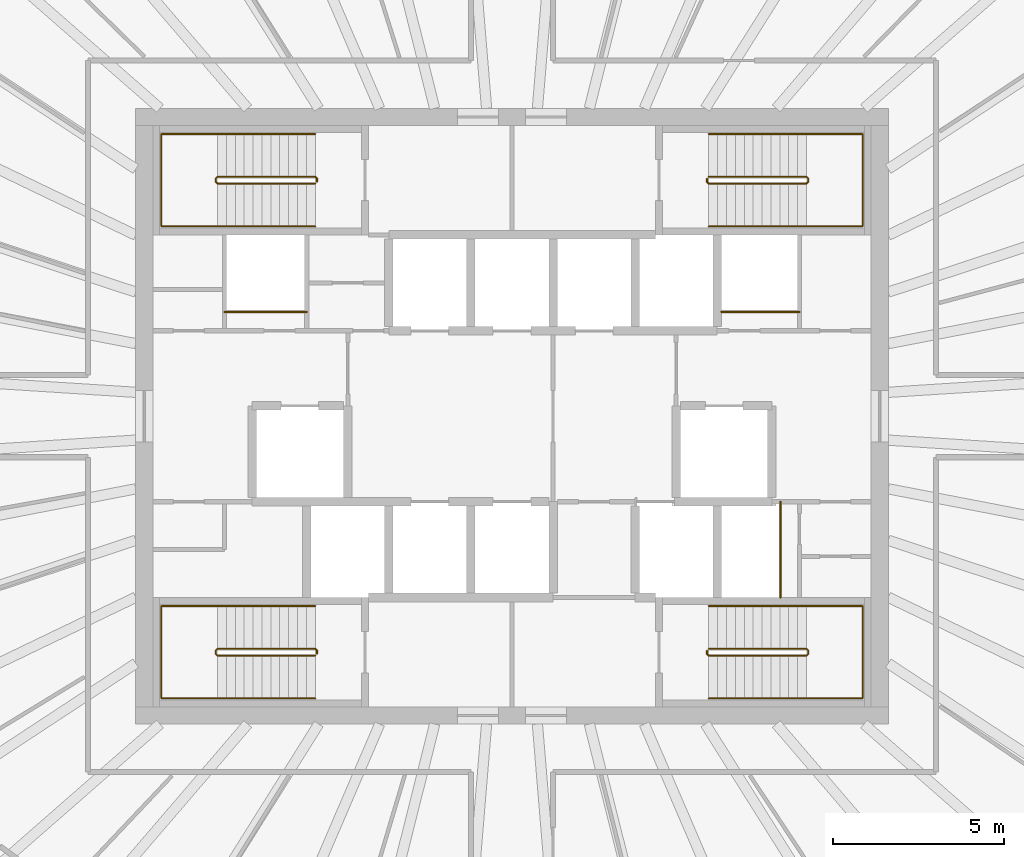
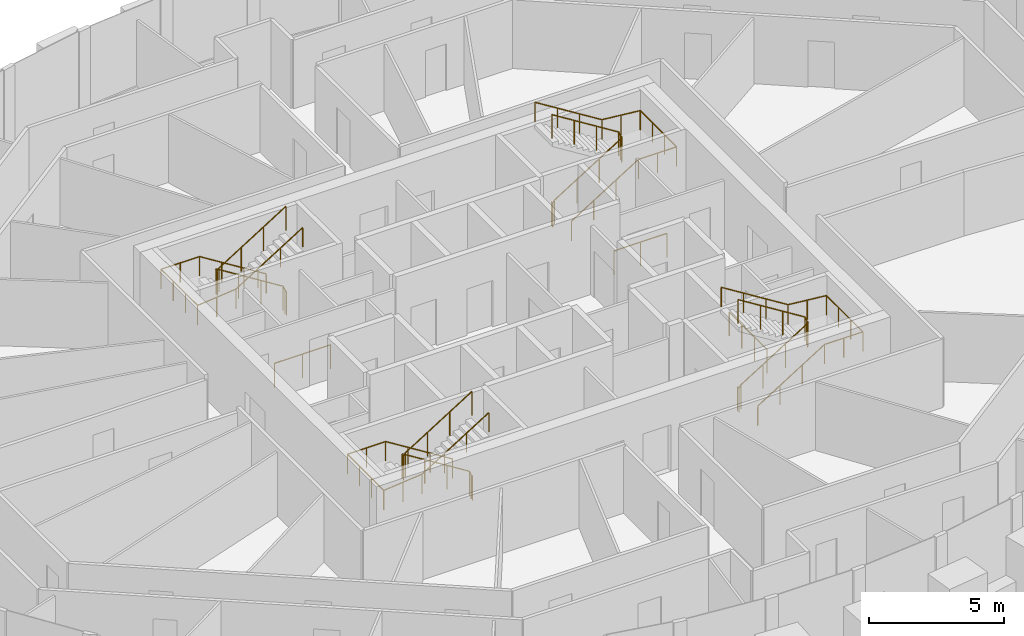
# One storey, part 11 of 11: 11 railings.
"""IFC4 building model written with IfcOpenShell, lengths in metres."""

from ifc_helpers import new_model, si_unit, direction, frame, origin, origin_2d, place, context, subcontext, project, spatial, circle, extrude, source, transform, mapped, material, type_object, element, save


model = new_model("IFC4")

# Units and contexts
model_context = context("Model", 3, precision=1e-05, world=origin(), true_north=direction((0.0, 1.0)))
body_context = subcontext(model_context, "Body", "Model", "MODEL_VIEW")
ifc_project = project(units=[si_unit("LENGTHUNIT", "METRE"), si_unit("AREAUNIT", "SQUARE_METRE"), si_unit("VOLUMEUNIT", "CUBIC_METRE"), si_unit("PLANEANGLEUNIT", "RADIAN"), si_unit("MASSUNIT", "GRAM", prefix="KILO")], contexts=[model_context])

# Site, building, storey
site_placement = place(None, origin())
site = spatial("IfcSite", under=ifc_project, at=site_placement, CompositionType="ELEMENT")
building_placement = place(site_placement, origin())
building = spatial("IfcBuilding", under=site, at=building_placement, Name="Embergate Tower", CompositionType="ELEMENT")
storey_placement = place(building_placement, frame((0.0, 0.0, 305.199951171875)))
storey = spatial("IfcBuildingStorey", under=building, at=storey_placement, Name="L71", CompositionType="ELEMENT", Elevation=305.199951171875)

# Railings
ifc_material_1 = material(Name="Stair guard 1100")
railing_type_1 = type_object("IfcRailingType", Name="Stair guard 1100", PredefinedType="GUARDRAIL", material=ifc_material_1)
shared_shape_1 = source(origin(), body_context, "Body", "SweptSolid", [
    extrude(circle(Radius=0.02392578125, at=origin_2d()), frame((0.0, 0.0, 1.076171875), z_axis=(0.0, 1.0, 0.0), x_axis=(-1.0, 0.0, 0.0)), (0.0, 0.0, 1.0), 0.099853515625),
    extrude(circle(Radius=0.02392578125, at=origin_2d()), frame((0.0, 0.099853515625, 1.076171875), z_axis=(-0.282227285176, 0.282227285176, 0.916894497205), x_axis=(-0.707106781187, -0.707106781187, 0.0)), (0.0, 0.0, 1.0), 0.17724609375),
    extrude(circle(Radius=0.02392578125, at=origin_2d()), frame((-0.050048828125, 0.14990234375, 1.23876953125), z_axis=(-0.848026770018, 0.0, 0.529953391661), x_axis=(0.0, -1.0, 0.0)), (0.0, 0.0, 1.0), 3.37255859375),
    extrude(circle(Radius=0.02392578125, at=origin_2d()), frame((-2.91015625, 0.14990234375, 3.02587890625), z_axis=(-0.705375805398, -0.708833529934, 0.0), x_axis=(0.708833529934, -0.705375805398, 0.0)), (0.0, 0.0, 1.0), 0.070556640625),
    extrude(circle(Radius=0.02392578125, at=origin_2d()), frame((-2.9599609375, 0.099853515625, 3.02587890625), z_axis=(0.0, -1.0, 0.0), x_axis=(1.0, 0.0, 0.0)), (0.0, 0.0, 1.0), 0.099853515625),
    extrude(circle(Radius=0.02392578125, at=origin_2d()), frame((-2.9599609375, 0.0, 3.02587890625), z_axis=(0.280959487676, -0.282336740067, 0.917250092119), x_axis=(0.708833529934, 0.705375805398, 0.0)), (0.0, 0.0, 1.0), 0.17724609375),
    extrude(circle(Radius=0.02392578125, at=origin_2d()), frame((-2.91015625, -0.050048828125, 3.1884765625), z_axis=(0.847994237388, 0.0, 0.530005446535), x_axis=(0.0, 1.0, 0.0)), (0.0, 0.0, 1.0), 3.372802734375),
    extrude(circle(Radius=0.02099609375, at=origin_2d()), origin(), (0.0, 0.0, 1.0), 1.052001953125),
    extrude(circle(Radius=0.02099609375, at=origin_2d()), frame((0.0, 0.099853515625, 0.0)), (0.0, 0.0, 1.0), 1.052001953125),
    extrude(circle(Radius=0.02099609375, at=origin_2d()), frame((-0.050048828125, 0.14990234375, 0.16259765625)), (0.0, 0.0, 1.0), 1.052001953125),
    extrude(circle(Radius=0.02099609375, at=origin_2d()), frame((-1.00341796875, 0.14990234375, 0.75830078125)), (0.0, 0.0, 1.0), 1.052001953125),
    extrude(circle(Radius=0.02099609375, at=origin_2d()), frame((-1.956787109375, 0.14990234375, 1.354248046875)), (0.0, 0.0, 1.0), 1.052001953125),
    extrude(circle(Radius=0.02099609375, at=origin_2d()), frame((-2.91015625, 0.14990234375, 1.949951171875)), (0.0, 0.0, 1.0), 1.052001953125),
    extrude(circle(Radius=0.02099609375, at=origin_2d()), frame((-2.9599609375, 0.099853515625, 1.949951171875)), (0.0, 0.0, 1.0), 1.052001953125),
    extrude(circle(Radius=0.02099609375, at=origin_2d()), frame((-2.9599609375, 0.0, 1.949951171875)), (0.0, 0.0, 1.0), 1.052001953125),
    extrude(circle(Radius=0.02099609375, at=origin_2d()), frame((-2.91015625, -0.050048828125, 2.112548828125)), (0.0, 0.0, 1.0), 1.052001953125),
    extrude(circle(Radius=0.02099609375, at=origin_2d()), frame((-1.956787109375, -0.050048828125, 2.70849609375)), (0.0, 0.0, 1.0), 1.052001953125),
    extrude(circle(Radius=0.02099609375, at=origin_2d()), frame((-1.00341796875, -0.050048828125, 3.30419921875)), (0.0, 0.0, 1.0), 1.052001953125),
    extrude(circle(Radius=0.02099609375, at=origin_2d()), frame((-0.050048828125, -0.050048828125, 3.900146484375)), (0.0, 0.0, 1.0), 1.052001953125),
])
for number, where, name in (
    (1, (-5.699951171875, 6.85009765625, 0.0), "L71 ST1 stair guard 1"),
    (2, (-5.699951171875, -6.949951171875, 0.0), "L71 ST3 stair guard 1"),
):
    element("IfcRailing", number, at=place(storey_placement, frame(where)), inside=storey, type_object=railing_type_1, Name=name, PredefinedType="GUARDRAIL", context=body_context, shape_type="MappedRepresentation", body=[
        mapped(shared_shape_1, transform((0.0, 0.0, 0.0))),
    ])
ifc_material_2 = material(Name="Stair handrail 900")
railing_type_2 = type_object("IfcRailingType", Name="Stair handrail 900", PredefinedType="HANDRAIL", material=ifc_material_2)
shared_shape_2 = source(origin(), body_context, "Body", "SweptSolid", [
    extrude(circle(Radius=0.02392578125, at=origin_2d()), frame((0.0, 0.0, 0.8759765625), z_axis=(-0.848026770018, 0.0, 0.529953391661), x_axis=(0.0, -1.0, 0.0)), (0.0, 0.0, 1.0), 3.37255859375),
    extrude(circle(Radius=0.02392578125, at=origin_2d()), frame((-2.860107421875, 0.0, 2.6630859375), z_axis=(-1.0, 0.0, 0.0), x_axis=(0.0, -1.0, 0.0)), (0.0, 0.0, 1.0), 1.639892578125),
    extrude(circle(Radius=0.02392578125, at=origin_2d()), frame((-4.5, 0.0, 2.6630859375), z_axis=(0.0, -1.0, 0.0), x_axis=(1.0, 0.0, 0.0)), (0.0, 0.0, 1.0), 2.699951171875),
    extrude(circle(Radius=0.02392578125, at=origin_2d()), frame((-4.5, -2.699951171875, 2.6630859375), z_axis=(0.995120448088, 0.0, 0.098667592441), x_axis=(0.0, 1.0, 0.0)), (0.0, 0.0, 1.0), 1.64794921875),
    extrude(circle(Radius=0.02392578125, at=origin_2d()), frame((-2.860107421875, -2.699951171875, 2.82568359375), z_axis=(0.847994237388, 0.0, 0.530005446535), x_axis=(0.0, 1.0, 0.0)), (0.0, 0.0, 1.0), 3.372802734375),
    extrude(circle(Radius=0.02099609375, at=origin_2d()), origin(), (0.0, 0.0, 1.0), 0.851806640625),
    extrude(circle(Radius=0.02099609375, at=origin_2d()), frame((-0.953369140625, 0.0, 0.595703125)), (0.0, 0.0, 1.0), 0.851806640625),
    extrude(circle(Radius=0.02099609375, at=origin_2d()), frame((-1.90673828125, 0.0, 1.191650390625)), (0.0, 0.0, 1.0), 0.851806640625),
    extrude(circle(Radius=0.02099609375, at=origin_2d()), frame((-2.860107421875, 0.0, 1.787353515625)), (0.0, 0.0, 1.0), 0.851806640625),
    extrude(circle(Radius=0.02099609375, at=origin_2d()), frame((-3.68017578125, 0.0, 1.787353515625)), (0.0, 0.0, 1.0), 0.851806640625),
    extrude(circle(Radius=0.02099609375, at=origin_2d()), frame((-4.5, 0.0, 1.787353515625)), (0.0, 0.0, 1.0), 0.851806640625),
    extrude(circle(Radius=0.02099609375, at=origin_2d()), frame((-4.5, -0.89990234375, 1.787353515625)), (0.0, 0.0, 1.0), 0.851806640625),
    extrude(circle(Radius=0.02099609375, at=origin_2d()), frame((-4.5, -1.800048828125, 1.787353515625)), (0.0, 0.0, 1.0), 0.851806640625),
    extrude(circle(Radius=0.02099609375, at=origin_2d()), frame((-4.5, -2.699951171875, 1.787353515625)), (0.0, 0.0, 1.0), 0.851806640625),
    extrude(circle(Radius=0.02099609375, at=origin_2d()), frame((-3.68017578125, -2.699951171875, 1.86865234375)), (0.0, 0.0, 1.0), 0.851806640625),
    extrude(circle(Radius=0.02099609375, at=origin_2d()), frame((-2.860107421875, -2.699951171875, 1.949951171875)), (0.0, 0.0, 1.0), 0.851806640625),
    extrude(circle(Radius=0.02099609375, at=origin_2d()), frame((-1.90673828125, -2.699951171875, 2.5458984375)), (0.0, 0.0, 1.0), 0.851806640625),
    extrude(circle(Radius=0.02099609375, at=origin_2d()), frame((-0.953369140625, -2.699951171875, 3.1416015625)), (0.0, 0.0, 1.0), 0.851806640625),
    extrude(circle(Radius=0.02099609375, at=origin_2d()), frame((0.0, -2.699951171875, 3.737548828125)), (0.0, 0.0, 1.0), 0.851806640625),
])
for number, where, name in (
    (3, (-5.75, 8.25, 0.16259765625), "L71 ST1 stair handrail 1"),
    (4, (-5.75, -5.550048828125, 0.16259765625), "L71 ST3 stair handrail 1"),
):
    element("IfcRailing", number, at=place(storey_placement, frame(where)), inside=storey, type_object=railing_type_2, Name=name, PredefinedType="HANDRAIL", context=body_context, shape_type="MappedRepresentation", body=[
        mapped(shared_shape_2, transform((0.0, 0.0, 0.0))),
    ])
shared_shape_3 = source(origin(), body_context, "Body", "SweptSolid", [
    extrude(circle(Radius=0.02392578125, at=origin_2d()), frame((0.0, 0.0, 1.076171875), z_axis=(0.0, -1.0, 0.0), x_axis=(1.0, 0.0, 0.0)), (0.0, 0.0, 1.0), 0.099853515625),
    extrude(circle(Radius=0.02392578125, at=origin_2d()), frame((0.0, -0.099853515625, 1.076171875), z_axis=(0.282227285176, -0.282227285176, 0.916894497205), x_axis=(0.707106781187, 0.707106781187, 0.0)), (0.0, 0.0, 1.0), 0.17724609375),
    extrude(circle(Radius=0.02392578125, at=origin_2d()), frame((0.050048828125, -0.14990234375, 1.23876953125), z_axis=(0.848026770018, 0.0, 0.529953391661), x_axis=(0.0, 1.0, 0.0)), (0.0, 0.0, 1.0), 3.37255859375),
    extrude(circle(Radius=0.02392578125, at=origin_2d()), frame((2.91015625, -0.14990234375, 3.02587890625), z_axis=(0.705375805398, 0.708833529934, 0.0), x_axis=(-0.708833529934, 0.705375805398, 0.0)), (0.0, 0.0, 1.0), 0.070556640625),
    extrude(circle(Radius=0.02392578125, at=origin_2d()), frame((2.9599609375, -0.099853515625, 3.02587890625), z_axis=(0.0, 1.0, 0.0), x_axis=(-1.0, 0.0, 0.0)), (0.0, 0.0, 1.0), 0.099853515625),
    extrude(circle(Radius=0.02392578125, at=origin_2d()), frame((2.9599609375, 0.0, 3.02587890625), z_axis=(-0.280959487676, 0.282336740067, 0.917250092119), x_axis=(-0.708833529934, -0.705375805398, 0.0)), (0.0, 0.0, 1.0), 0.17724609375),
    extrude(circle(Radius=0.02392578125, at=origin_2d()), frame((2.91015625, 0.050048828125, 3.1884765625), z_axis=(-0.847994237388, 0.0, 0.530005446535), x_axis=(0.0, -1.0, 0.0)), (0.0, 0.0, 1.0), 3.372802734375),
    extrude(circle(Radius=0.02099609375, at=origin_2d()), origin(), (0.0, 0.0, 1.0), 1.052001953125),
    extrude(circle(Radius=0.02099609375, at=origin_2d()), frame((0.0, -0.099853515625, 0.0)), (0.0, 0.0, 1.0), 1.052001953125),
    extrude(circle(Radius=0.02099609375, at=origin_2d()), frame((0.050048828125, -0.14990234375, 0.16259765625)), (0.0, 0.0, 1.0), 1.052001953125),
    extrude(circle(Radius=0.02099609375, at=origin_2d()), frame((1.00341796875, -0.14990234375, 0.75830078125)), (0.0, 0.0, 1.0), 1.052001953125),
    extrude(circle(Radius=0.02099609375, at=origin_2d()), frame((1.956787109375, -0.14990234375, 1.354248046875)), (0.0, 0.0, 1.0), 1.052001953125),
    extrude(circle(Radius=0.02099609375, at=origin_2d()), frame((2.91015625, -0.14990234375, 1.949951171875)), (0.0, 0.0, 1.0), 1.052001953125),
    extrude(circle(Radius=0.02099609375, at=origin_2d()), frame((2.9599609375, -0.099853515625, 1.949951171875)), (0.0, 0.0, 1.0), 1.052001953125),
    extrude(circle(Radius=0.02099609375, at=origin_2d()), frame((2.9599609375, 0.0, 1.949951171875)), (0.0, 0.0, 1.0), 1.052001953125),
    extrude(circle(Radius=0.02099609375, at=origin_2d()), frame((2.91015625, 0.050048828125, 2.112548828125)), (0.0, 0.0, 1.0), 1.052001953125),
    extrude(circle(Radius=0.02099609375, at=origin_2d()), frame((1.956787109375, 0.050048828125, 2.70849609375)), (0.0, 0.0, 1.0), 1.052001953125),
    extrude(circle(Radius=0.02099609375, at=origin_2d()), frame((1.00341796875, 0.050048828125, 3.30419921875)), (0.0, 0.0, 1.0), 1.052001953125),
    extrude(circle(Radius=0.02099609375, at=origin_2d()), frame((0.050048828125, 0.050048828125, 3.900146484375)), (0.0, 0.0, 1.0), 1.052001953125),
])
for number, where, name in (
    (5, (5.699951171875, 6.949951171875, 0.0), "L71 ST2 stair guard 1"),
    (6, (5.699951171875, -6.85009765625, 0.0), "L71 ST4 stair guard 1"),
):
    element("IfcRailing", number, at=place(storey_placement, frame(where)), inside=storey, type_object=railing_type_1, Name=name, PredefinedType="GUARDRAIL", context=body_context, shape_type="MappedRepresentation", body=[
        mapped(shared_shape_3, transform((0.0, 0.0, 0.0))),
    ])
shared_shape_4 = source(origin(), body_context, "Body", "SweptSolid", [
    extrude(circle(Radius=0.02392578125, at=origin_2d()), frame((0.0, 0.0, 0.8759765625), z_axis=(0.848026770018, 0.0, 0.529953391661), x_axis=(0.0, 1.0, 0.0)), (0.0, 0.0, 1.0), 3.37255859375),
    extrude(circle(Radius=0.02392578125, at=origin_2d()), frame((2.860107421875, 0.0, 2.6630859375), z_axis=(1.0, 0.0, 0.0), x_axis=(0.0, 1.0, 0.0)), (0.0, 0.0, 1.0), 1.639892578125),
    extrude(circle(Radius=0.02392578125, at=origin_2d()), frame((4.5, 0.0, 2.6630859375), z_axis=(0.0, 1.0, 0.0), x_axis=(-1.0, 0.0, 0.0)), (0.0, 0.0, 1.0), 2.699951171875),
    extrude(circle(Radius=0.02392578125, at=origin_2d()), frame((4.5, 2.699951171875, 2.6630859375), z_axis=(-0.995120448088, 0.0, 0.098667592441), x_axis=(0.0, -1.0, 0.0)), (0.0, 0.0, 1.0), 1.64794921875),
    extrude(circle(Radius=0.02392578125, at=origin_2d()), frame((2.860107421875, 2.699951171875, 2.82568359375), z_axis=(-0.847994237388, 0.0, 0.530005446535), x_axis=(0.0, -1.0, 0.0)), (0.0, 0.0, 1.0), 3.372802734375),
    extrude(circle(Radius=0.02099609375, at=origin_2d()), origin(), (0.0, 0.0, 1.0), 0.851806640625),
    extrude(circle(Radius=0.02099609375, at=origin_2d()), frame((0.953369140625, 0.0, 0.595703125)), (0.0, 0.0, 1.0), 0.851806640625),
    extrude(circle(Radius=0.02099609375, at=origin_2d()), frame((1.90673828125, 0.0, 1.191650390625)), (0.0, 0.0, 1.0), 0.851806640625),
    extrude(circle(Radius=0.02099609375, at=origin_2d()), frame((2.860107421875, 0.0, 1.787353515625)), (0.0, 0.0, 1.0), 0.851806640625),
    extrude(circle(Radius=0.02099609375, at=origin_2d()), frame((3.68017578125, 0.0, 1.787353515625)), (0.0, 0.0, 1.0), 0.851806640625),
    extrude(circle(Radius=0.02099609375, at=origin_2d()), frame((4.5, 0.0, 1.787353515625)), (0.0, 0.0, 1.0), 0.851806640625),
    extrude(circle(Radius=0.02099609375, at=origin_2d()), frame((4.5, 0.89990234375, 1.787353515625)), (0.0, 0.0, 1.0), 0.851806640625),
    extrude(circle(Radius=0.02099609375, at=origin_2d()), frame((4.5, 1.800048828125, 1.787353515625)), (0.0, 0.0, 1.0), 0.851806640625),
    extrude(circle(Radius=0.02099609375, at=origin_2d()), frame((4.5, 2.699951171875, 1.787353515625)), (0.0, 0.0, 1.0), 0.851806640625),
    extrude(circle(Radius=0.02099609375, at=origin_2d()), frame((3.68017578125, 2.699951171875, 1.86865234375)), (0.0, 0.0, 1.0), 0.851806640625),
    extrude(circle(Radius=0.02099609375, at=origin_2d()), frame((2.860107421875, 2.699951171875, 1.949951171875)), (0.0, 0.0, 1.0), 0.851806640625),
    extrude(circle(Radius=0.02099609375, at=origin_2d()), frame((1.90673828125, 2.699951171875, 2.5458984375)), (0.0, 0.0, 1.0), 0.851806640625),
    extrude(circle(Radius=0.02099609375, at=origin_2d()), frame((0.953369140625, 2.699951171875, 3.1416015625)), (0.0, 0.0, 1.0), 0.851806640625),
    extrude(circle(Radius=0.02099609375, at=origin_2d()), frame((0.0, 2.699951171875, 3.737548828125)), (0.0, 0.0, 1.0), 0.851806640625),
])
for number, where, name in (
    (7, (5.75, 5.550048828125, 0.16259765625), "L71 ST2 stair handrail 1"),
    (8, (5.75, -8.25, 0.16259765625), "L71 ST4 stair handrail 1"),
):
    element("IfcRailing", number, at=place(storey_placement, frame(where)), inside=storey, type_object=railing_type_2, Name=name, PredefinedType="HANDRAIL", context=body_context, shape_type="MappedRepresentation", body=[
        mapped(shared_shape_4, transform((0.0, 0.0, 0.0))),
    ])
ifc_material_3 = material(Name="Opening guard 1100")
railing_type_3 = type_object("IfcRailingType", Name="Opening guard 1100", PredefinedType="GUARDRAIL", material=ifc_material_3)
shared_shape_5 = source(origin(), body_context, "Body", "SweptSolid", [
    extrude(circle(Radius=0.02392578125, at=origin_2d()), frame((0.0, 0.0, 1.076171875), z_axis=(1.0, 0.0, 0.0), x_axis=(0.0, 1.0, 0.0)), (0.0, 0.0, 1.0), 2.27490234375),
    extrude(circle(Radius=0.02099609375, at=origin_2d()), origin(), (0.0, 0.0, 1.0), 1.052001953125),
    extrude(circle(Radius=0.02099609375, at=origin_2d()), frame((1.137451171875, 0.0, 0.0)), (0.0, 0.0, 1.0), 1.052001953125),
    extrude(circle(Radius=0.02099609375, at=origin_2d()), frame((2.27490234375, 0.0, 0.0)), (0.0, 0.0, 1.0), 1.052001953125),
])
railing_1_placement = place(storey_placement, frame((6.125, 3.050048828125, 0.0)))
element("IfcRailing", 9, at=railing_1_placement, inside=storey, type_object=railing_type_3, Name="Riser opening guard", PredefinedType="GUARDRAIL", context=body_context, shape_type="MappedRepresentation", body=[
    mapped(shared_shape_5, transform((0.0, 0.0, 0.0))),
])
shared_shape_6 = source(origin(), body_context, "Body", "SweptSolid", [
    extrude(circle(Radius=0.02392578125, at=origin_2d()), frame((0.0, 0.0, 1.076171875), z_axis=(0.0, 1.0, 0.0), x_axis=(-1.0, 0.0, 0.0)), (0.0, 0.0, 1.0), 2.800048828125),
    extrude(circle(Radius=0.02099609375, at=origin_2d()), origin(), (0.0, 0.0, 1.0), 1.052001953125),
    extrude(circle(Radius=0.02099609375, at=origin_2d()), frame((0.0, 0.933349609375, 0.0)), (0.0, 0.0, 1.0), 1.052001953125),
    extrude(circle(Radius=0.02099609375, at=origin_2d()), frame((0.0, 1.86669921875, 0.0)), (0.0, 0.0, 1.0), 1.052001953125),
    extrude(circle(Radius=0.02099609375, at=origin_2d()), frame((0.0, 2.800048828125, 0.0)), (0.0, 0.0, 1.0), 1.052001953125),
])
railing_2_placement = place(storey_placement, frame((7.85009765625, -5.300048828125, 0.0)))
element("IfcRailing", 10, at=railing_2_placement, inside=storey, type_object=railing_type_3, Name="Riser opening guard", PredefinedType="GUARDRAIL", context=body_context, shape_type="MappedRepresentation", body=[
    mapped(shared_shape_6, transform((0.0, 0.0, 0.0))),
])
shared_shape_7 = source(origin(), body_context, "Body", "SweptSolid", [
    extrude(circle(Radius=0.02392578125, at=origin_2d()), frame((0.0, 0.0, 1.076171875), z_axis=(1.0, 0.0, 0.0), x_axis=(0.0, 1.0, 0.0)), (0.0, 0.0, 1.0), 2.39990234375),
    extrude(circle(Radius=0.02099609375, at=origin_2d()), origin(), (0.0, 0.0, 1.0), 1.052001953125),
    extrude(circle(Radius=0.02099609375, at=origin_2d()), frame((1.199951171875, 0.0, 0.0)), (0.0, 0.0, 1.0), 1.052001953125),
    extrude(circle(Radius=0.02099609375, at=origin_2d()), frame((2.39990234375, 0.0, 0.0)), (0.0, 0.0, 1.0), 1.052001953125),
])
railing_3_placement = place(storey_placement, frame((-8.39990234375, 3.050048828125, 0.0)))
element("IfcRailing", 11, at=railing_3_placement, inside=storey, type_object=railing_type_3, Name="Riser opening guard", PredefinedType="GUARDRAIL", context=body_context, shape_type="MappedRepresentation", body=[
    mapped(shared_shape_7, transform((0.0, 0.0, 0.0))),
])

save(model, "model.ifc")
